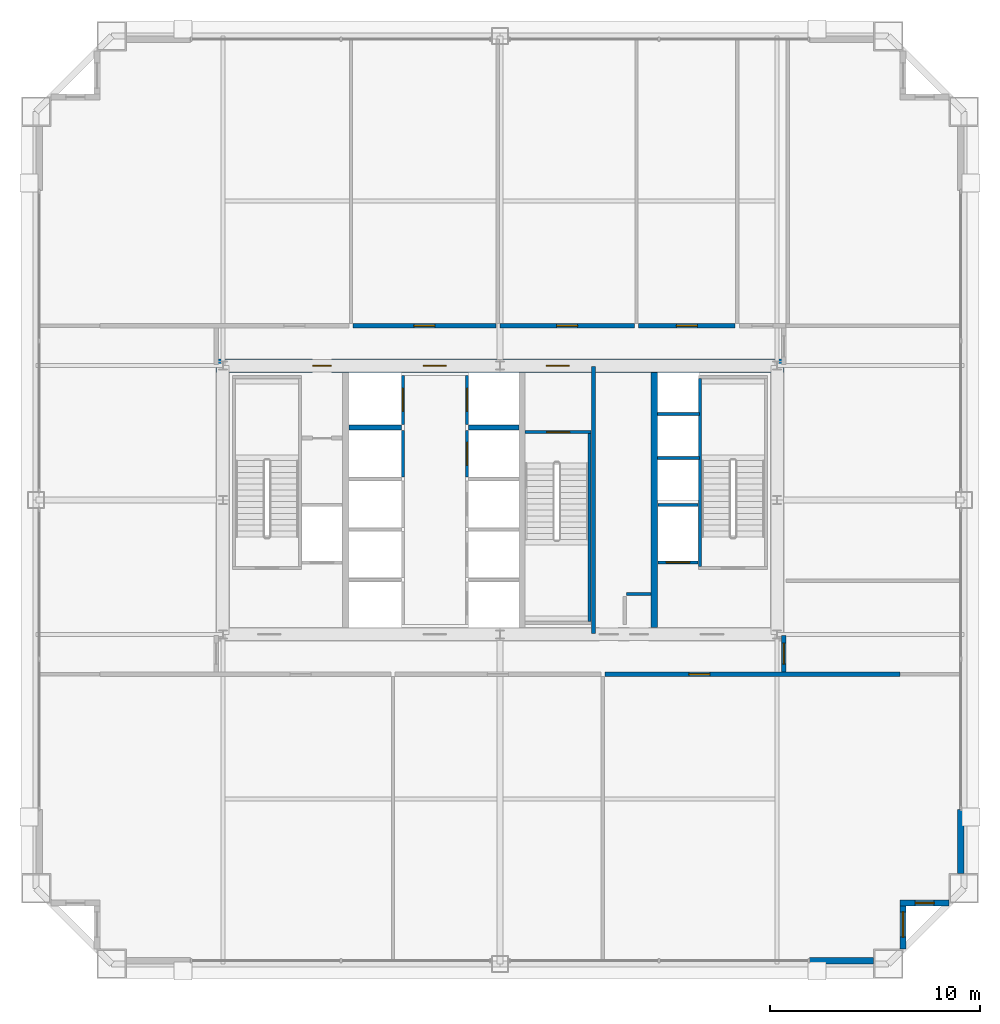
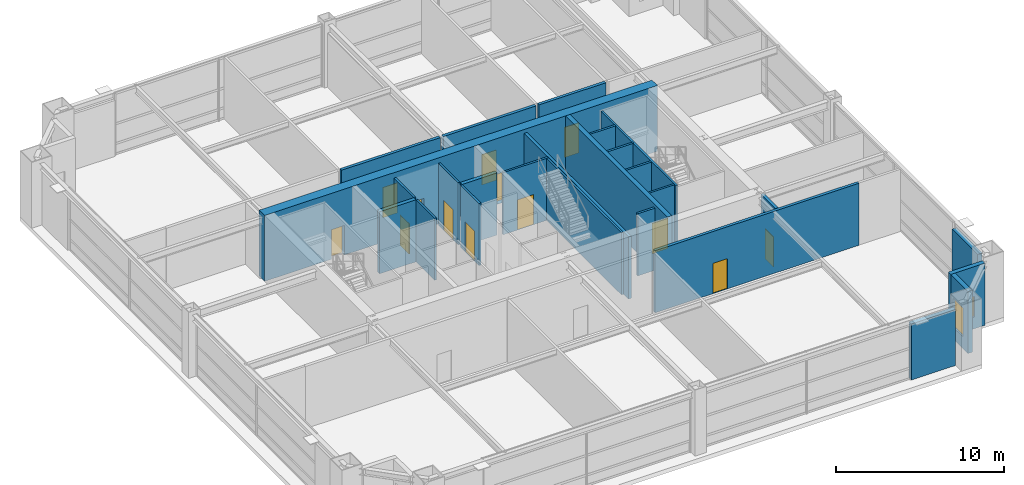
# One storey, part 32 of 34: 26 walls, 13 doors, 2 windows, 15 openings.
"""IFC4 building model written with IfcOpenShell, lengths in metres."""

import ifcopenshell
import ifcopenshell.guid

model = None  # the IFC model being written
_history = None  # IfcOwnerHistory: only IFC2X3 demands one
_inside = {}  # id of a spatial element -> (the spatial element, [elements in it])
_under = {}  # id of a project, library or spatial element -> (it, [spatial elements below it])
_declared = {}  # id of a project -> (the project, [libraries it declares])
_typed = {}  # id of a type object -> (the type object, [elements of that type])
_made_of = {}  # id of a material, layer set ... -> (it, [elements and type objects made of it])


def new_model(schema):
    """Start an empty IFC model of exactly this schema.

    Asked for "IFC4X3", IfcOpenShell would pick the latest addendum, in which some entities
    have other attributes; the version numbers below select the first issue.
    IFC2X3 requires an IfcOwnerHistory on every rooted entity: one is made here for all.
    """
    global model, _history
    if schema == "IFC4X3":
        model = ifcopenshell.file(schema_version=(4, 3, 0, 0))
    else:
        model = ifcopenshell.file(schema=schema)
    _inside.clear()
    _under.clear()
    _declared.clear()
    _typed.clear()
    _made_of.clear()
    _history = None
    if model.schema == "IFC2X3":
        org = make("IfcOrganization", Name="unknown")
        user = make(
            "IfcPersonAndOrganization",
            ThePerson=make("IfcPerson", FamilyName="unknown"),
            TheOrganization=org,
        )
        app = make(
            "IfcApplication",
            ApplicationDeveloper=org,
            Version="unknown",
            ApplicationFullName="unknown",
            ApplicationIdentifier="unknown",
        )
        _history = make(
            "IfcOwnerHistory",
            OwningUser=user,
            OwningApplication=app,
            ChangeAction="ADDED",
            CreationDate=0,
        )
    return model


def make(cls, **values):
    """One entity of the class cls with the attributes given. An attribute that is None is left unset."""
    return model.create_entity(
        cls, **{name: value for name, value in values.items() if value is not None}
    )


def rooted(cls, **values):
    """An entity with a GlobalId (a new one), such as an element, a storey or a relation."""
    return make(cls, GlobalId=ifcopenshell.guid.new(), OwnerHistory=_history, **values)


def si_unit(unit_type, name, prefix=None):
    """IfcSIUnit, for example si_unit("LENGTHUNIT", "METRE", prefix="MILLI")."""
    return make("IfcSIUnit", UnitType=unit_type, Prefix=prefix, Name=name)


def assignment(units):
    """IfcUnitAssignment: the units of a project."""
    return None if units is None else make("IfcUnitAssignment", Units=units)


def point(xyz):
    """IfcCartesianPoint."""
    return None if xyz is None else make("IfcCartesianPoint", Coordinates=xyz)


def direction(xyz):
    """IfcDirection."""
    return None if xyz is None else make("IfcDirection", DirectionRatios=xyz)


def frame(location, z_axis=None, x_axis=None):
    """IfcAxis2Placement3D, a coordinate frame: its origin and axes. An axis left out is left unset."""
    return make(
        "IfcAxis2Placement3D",
        Location=point(location),
        Axis=direction(z_axis),
        RefDirection=direction(x_axis),
    )


def frame_2d(location, x_axis=None):
    """IfcAxis2Placement2D, a coordinate frame in the plane: its origin and x axis."""
    return make(
        "IfcAxis2Placement2D", Location=point(location), RefDirection=direction(x_axis)
    )


def origin():
    """The frame at (0, 0, 0) with its axes left unset."""
    return frame((0.0, 0.0, 0.0))


def place(relative_to, where):
    """IfcLocalPlacement: puts the frame where relative to a parent placement (None: the world)."""
    return make(
        "IfcLocalPlacement", PlacementRelTo=relative_to, RelativePlacement=where
    )


def context(
    kind, dimensions, precision=None, world=None, true_north=None, identifier=None
):
    """IfcGeometricRepresentationContext, for example the 3D "Model" context."""
    return make(
        "IfcGeometricRepresentationContext",
        ContextIdentifier=identifier,
        ContextType=kind,
        CoordinateSpaceDimension=dimensions,
        Precision=precision,
        WorldCoordinateSystem=world,
        TrueNorth=true_north,
    )


def subcontext(parent, identifier, kind, view, scale=None):
    """IfcGeometricRepresentationSubContext, for example "Body" below "Model"."""
    return make(
        "IfcGeometricRepresentationSubContext",
        ContextIdentifier=identifier,
        ContextType=kind,
        ParentContext=parent,
        TargetScale=scale,
        TargetView=view,
    )


def project(units=None, contexts=None):
    """IfcProject with its units and contexts."""
    return rooted(
        "IfcProject",
        Name="project",
        RepresentationContexts=contexts,
        UnitsInContext=assignment(units),
    )


def spatial(cls, under=None, at=None, **own):
    """A site, building, storey or space (cls), placed at a placement, below another one or the project."""
    s = rooted(cls, ObjectPlacement=at, **own)
    if under is not None:
        _under.setdefault(under.id(), (under, []))[1].append(s)
    return s


def profile(cls, at=None, kind="AREA", **sizes):
    """A parametric profile (cls). Its sizes go by their IFC names, for example OverallWidth=200.0."""
    return make(cls, ProfileType=kind, Position=at, **sizes)


def rectangle(**sizes):
    """IfcRectangleProfileDef."""
    return profile("IfcRectangleProfileDef", **sizes)


def extrude(swept, where, along, depth):
    """IfcExtrudedAreaSolid: the profile swept, set in the frame where, extruded along a direction by depth."""
    return make(
        "IfcExtrudedAreaSolid",
        SweptArea=swept,
        Position=where,
        ExtrudedDirection=direction(along),
        Depth=depth,
    )


def shape(context_of_items, identifier, shape_type, items):
    """IfcShapeRepresentation: the items that make up one representation, for example the "Body"."""
    return make(
        "IfcShapeRepresentation",
        ContextOfItems=context_of_items,
        RepresentationIdentifier=identifier,
        RepresentationType=shape_type,
        Items=items,
    )


def source(mapping_origin, context_of_items, identifier, shape_type, items):
    """IfcRepresentationMap: a shape defined once, which mapped items show again and again."""
    return make(
        "IfcRepresentationMap",
        MappingOrigin=mapping_origin,
        MappedRepresentation=shape(context_of_items, identifier, shape_type, items),
    )


def transform(
    local_origin,
    x_axis=None,
    y_axis=None,
    z_axis=None,
    scale=None,
    scale2=None,
    scale3=None,
    uniform=True,
):
    """IfcCartesianTransformationOperator3D, or its non-uniform kind. x_axis, y_axis, z_axis: its Axis1, 2, 3."""
    if uniform:
        return make(
            "IfcCartesianTransformationOperator3D",
            Axis1=direction(x_axis),
            Axis2=direction(y_axis),
            LocalOrigin=point(local_origin),
            Scale=scale,
            Axis3=direction(z_axis),
        )
    return make(
        "IfcCartesianTransformationOperator3DnonUniform",
        Axis1=direction(x_axis),
        Axis2=direction(y_axis),
        LocalOrigin=point(local_origin),
        Scale=scale,
        Axis3=direction(z_axis),
        Scale2=scale2,
        Scale3=scale3,
    )


def mapped(mapping_source, mapping_target):
    """IfcMappedItem: shows the shape of a source again, moved by a transform."""
    return make(
        "IfcMappedItem", MappingSource=mapping_source, MappingTarget=mapping_target
    )


def material(Name=None, Category=None):
    """IfcMaterial."""
    return make("IfcMaterial", Name=Name, Category=Category)


def layer(
    of_material, thickness, ventilated=None, Name=None, Category=None, Priority=None
):
    """IfcMaterialLayer: one layer of a wall or slab, of a material (None: an air gap)."""
    return make(
        "IfcMaterialLayer",
        Material=of_material,
        LayerThickness=thickness,
        IsVentilated=ventilated,
        Name=Name,
        Category=Category,
        Priority=Priority,
    )


def layer_set(layers, Name=None):
    """IfcMaterialLayerSet."""
    return make("IfcMaterialLayerSet", MaterialLayers=layers, LayerSetName=Name)


def made_of(thing, what):
    """Note that an element or type object is made of a material, layer set ...; save() writes the relation."""
    if what is not None:
        _made_of.setdefault(what.id(), (what, []))[1].append(thing)
    return thing


def type_object(cls, material=None, **own):
    """A type object (cls), such as IfcWallType, which elements share."""
    return made_of(rooted(cls, **own), material)


def element(
    cls,
    number,
    at=None,
    inside=None,
    cuts=None,
    type_object=None,
    material=None,
    context=None,
    identifier="Body",
    shape_type=None,
    held_by="IfcProductDefinitionShape",
    body=None,
    shapes=None,
    **own,
):
    """One element of the class cls, such as IfcWall. Its Tag is "e" and its number.

    at: its placement. inside: the storey or other place that contains it. cuts: it is an
    opening in that element (IfcRelVoidsElement). A single representation is given by context,
    identifier, shape_type and body (its items); several are given by shapes. held_by: the class
    of the entity that holds the representations. save() writes the other relations.
    """
    e = rooted(cls, Tag="e%d" % number, ObjectPlacement=at, **own)
    if body is not None:
        shapes = [shape(context, identifier, shape_type, body)]
    if shapes is not None:
        e.Representation = make(held_by, Representations=shapes)
    if inside is not None:
        _inside.setdefault(inside.id(), (inside, []))[1].append(e)
    if cuts is not None:
        rooted(
            "IfcRelVoidsElement", RelatingBuildingElement=cuts, RelatedOpeningElement=e
        )
    if type_object is not None:
        _typed.setdefault(type_object.id(), (type_object, []))[1].append(e)
    return made_of(e, material)


def fill(opening, filler):
    """IfcRelFillsElement: the door or window that sits in an opening."""
    return rooted(
        "IfcRelFillsElement",
        RelatingOpeningElement=opening,
        RelatedBuildingElement=filler,
    )


def aggregate(whole, parts):
    """IfcRelAggregates: a whole, such as a stair, and the parts it consists of."""
    return rooted("IfcRelAggregates", RelatingObject=whole, RelatedObjects=parts)


def save(model, path):
    """Write the relations noted so far, then the file.

    IfcRelAggregates (storeys below a building ...), IfcRelContainedInSpatialStructure (elements
    in a storey), IfcRelDefinesByType, IfcRelAssociatesMaterial and IfcRelDeclares: one each for
    every whole, place, type object, material and project.
    """
    for whole, parts in _under.values():
        aggregate(whole, parts)
    for where, things in _inside.values():
        rooted(
            "IfcRelContainedInSpatialStructure",
            RelatedElements=things,
            RelatingStructure=where,
        )
    for kind, things in _typed.values():
        rooted("IfcRelDefinesByType", RelatedObjects=things, RelatingType=kind)
    for what, things in _made_of.values():
        rooted("IfcRelAssociatesMaterial", RelatedObjects=things, RelatingMaterial=what)
    for by, libraries in _declared.values():
        rooted("IfcRelDeclares", RelatingContext=by, RelatedDefinitions=libraries)
    model.write(path)


model = new_model("IFC4")

# Units and contexts
model_context = context("Model", 3, precision=1e-05, world=origin(), true_north=direction((0.0, 1.0)))
body_context = subcontext(model_context, "Body", "Model", "MODEL_VIEW")
ifc_project = project(units=[si_unit("LENGTHUNIT", "METRE"), si_unit("AREAUNIT", "SQUARE_METRE"), si_unit("VOLUMEUNIT", "CUBIC_METRE"), si_unit("PLANEANGLEUNIT", "RADIAN"), si_unit("MASSUNIT", "GRAM", prefix="KILO"), si_unit("THERMODYNAMICTEMPERATUREUNIT", "KELVIN"), si_unit("POWERUNIT", "WATT")], contexts=[model_context])

# Site, building, storey
site_placement = place(None, origin())
site = spatial("IfcSite", under=ifc_project, at=site_placement, CompositionType="ELEMENT")
building_placement = place(site_placement, origin())
building = spatial("IfcBuilding", under=site, at=building_placement, Name="Yuzanri Waterfront Tower", CompositionType="ELEMENT")
storey_placement = place(building_placement, frame((0.0, 0.0, 171.60009765625)))
storey = spatial("IfcBuildingStorey", under=building, at=storey_placement, Name="L45", CompositionType="ELEMENT", Elevation=171.60009765625)

# Wall, opening, window
ifc_material_1 = material(Name="Honed Chongqing Dark Basalt Stone", Category="masonry")
ifc_layer_1 = layer(ifc_material_1, 0.300048828125)
ifc_layer_set_1 = layer_set([ifc_layer_1], Name="Honed Chongqing Dark Basalt Stone")
wall_type_1 = type_object("IfcWallType", Name="Bronze Rainscreen Insulated Spandrel Portal Wall 300", PredefinedType="SOLIDWALL", material=ifc_layer_set_1)
wall_1_placement = place(storey_placement, frame((56.050048828125, 6.60009765625, 0.0), z_axis=(0.0, 0.0, 1.0), x_axis=(1.0, 0.0, 0.0)))
wall_1 = element("IfcWall", 1, at=wall_1_placement, inside=storey, type_object=wall_type_1, Name="L45 Notched Corner Masonry Wall SE-X", PredefinedType="SOLIDWALL", context=body_context, shape_type="SweptSolid", body=[
    extrude(rectangle(XDim=2.349853515625, YDim=0.300048828125, at=frame_2d((1.1748046875, 0.0))), origin(), (0.0, 0.0, 1.0), 4.52001953125),
])
opening_1_placement = place(wall_1_placement, frame((0.72509765625, 0.0, 0.85009765625)))
opening_1 = element("IfcOpeningElement", 2, at=opening_1_placement, cuts=wall_1, Name="Opening WN-05", PredefinedType="OPENING", context=body_context, shape_type="SweptSolid", body=[
    extrude(rectangle(XDim=0.89990234375, YDim=1.5, at=frame_2d((0.449951171875, 0.75))), frame((0.0, 0.1650390625, 0.0), z_axis=(0.0, -1.0, 0.0), x_axis=(1.0, 0.0, 0.0)), (0.0, 0.0, 1.0), 0.329833984375),
])
ifc_material_2 = material(Name="Double-Silver Low-E Insulated Glass", Category="glass")
window_type_1 = type_object("IfcWindowType", Name="Anodized Bronze Service and Stairwell Smoke-Vent Window 900x1500", PartitioningType="SINGLE_PANEL", PredefinedType="WINDOW", material=ifc_material_2)
shared_shape_1 = source(origin(), body_context, "Body", "SweptSolid", [
    extrude(rectangle(XDim=0.89990234375, YDim=1.5, at=frame_2d((0.449951171875, 0.75))), frame((0.0, 0.030029296875, 0.0), z_axis=(0.0, -1.0, 0.0), x_axis=(1.0, 0.0, 0.0)), (0.0, 0.0, 1.0), 0.06005859375),
])
window_1_placement = place(opening_1_placement, origin())
window_1 = element("IfcWindow", 3, at=window_1_placement, inside=storey, type_object=window_type_1, Name="L45 Notched Corner Window SE-X", OverallHeight=1.5, OverallWidth=0.89990234375, PartitioningType="SINGLE_PANEL", PredefinedType="WINDOW", context=body_context, shape_type="MappedRepresentation", body=[
    mapped(shared_shape_1, transform((0.0, 0.0, 0.0), scale=1.0)),
])
fill(opening_1, window_1)

wall_2_placement = place(storey_placement, frame((56.199951171875, 4.39990234375, 0.0), z_axis=(0.0, 0.0, 1.0), x_axis=(0.0, 1.0, 0.0)))
wall_2 = element("IfcWall", 4, at=wall_2_placement, inside=storey, type_object=wall_type_1, Name="L45 Notched Corner Masonry Wall SE-Y", PredefinedType="SOLIDWALL", context=body_context, shape_type="SweptSolid", body=[
    extrude(rectangle(XDim=2.35009765625, YDim=0.300048828125, at=frame_2d((1.175048828125, 0.0))), origin(), (0.0, 0.0, 1.0), 4.52001953125),
])
opening_2_placement = place(wall_2_placement, frame((0.574951171875, 0.0, 0.85009765625)))
opening_2 = element("IfcOpeningElement", 5, at=opening_2_placement, cuts=wall_2, Name="Opening WN-02", PredefinedType="OPENING", context=body_context, shape_type="SweptSolid", body=[
    extrude(rectangle(XDim=1.199951171875, YDim=2.10009765625, at=frame_2d((0.60009765625, 1.050048828125))), frame((0.0, 0.1650390625, 0.0), z_axis=(0.0, -1.0, 0.0), x_axis=(1.0, 0.0, 0.0)), (0.0, 0.0, 1.0), 0.329833984375),
])
ifc_material_3 = material(Name="Double-Silver Low-E Insulated Glass", Category="glass")
window_type_2 = type_object("IfcWindowType", Name="Anodized Bronze Notched Corner Deep-Set Slot Window 1200x2100", PartitioningType="SINGLE_PANEL", PredefinedType="WINDOW", material=ifc_material_3)
shared_shape_2 = source(origin(), body_context, "Body", "SweptSolid", [
    extrude(rectangle(XDim=1.199951171875, YDim=2.10009765625, at=frame_2d((0.60009765625, 1.050048828125))), frame((0.0, 0.030029296875, 0.0), z_axis=(0.0, -1.0, 0.0), x_axis=(1.0, 0.0, 0.0)), (0.0, 0.0, 1.0), 0.06005859375),
])
window_2_placement = place(opening_2_placement, origin())
window_2 = element("IfcWindow", 6, at=window_2_placement, inside=storey, type_object=window_type_2, Name="L45 Notched Corner Window SE-Y", OverallHeight=2.10009765625, OverallWidth=1.199951171875, PartitioningType="SINGLE_PANEL", PredefinedType="WINDOW", context=body_context, shape_type="MappedRepresentation", body=[
    mapped(shared_shape_2, transform((0.0, 0.0, 0.0), scale=1.0)),
])
fill(opening_2, window_2)

# Wall, openings, doors
ifc_material_4 = material(Name="Concrete C50", Category="concrete")
ifc_layer_2 = layer(ifc_material_4, 0.64990234375)
ifc_layer_set_2 = layer_set([ifc_layer_2], Name="Concrete C50")
wall_type_2 = type_object("IfcWallType", Name="Concrete C50 Mid Zone Core Shear Wall 650", PredefinedType="SHEAR", material=ifc_layer_set_2)
wall_3_placement = place(storey_placement, frame((23.47509765625, 32.199951171875, 0.0), z_axis=(0.0, 0.0, 1.0), x_axis=(1.0, 0.0, 0.0)))
wall_3 = element("IfcWall", 7, at=wall_3_placement, inside=storey, type_object=wall_type_2, Name="L45 Core North Shear Wall", PredefinedType="SHEAR", context=body_context, shape_type="SweptSolid", body=[
    extrude(rectangle(XDim=27.0498046875, YDim=0.64990234375, at=frame_2d((13.52490234375, 0.0))), origin(), (0.0, 0.0, 1.0), 4.7998046875),
])
opening_3_placement = place(wall_3_placement, frame((4.594970703125, 0.0, 0.0)))
opening_3 = element("IfcOpeningElement", 8, at=opening_3_placement, cuts=wall_3, Name="Opening FD-0900", PredefinedType="OPENING", context=body_context, shape_type="SweptSolid", body=[
    extrude(rectangle(XDim=0.89990234375, YDim=2.14990234375, at=frame_2d((0.449951171875, 1.074951171875))), frame((0.0, 0.33984375, 0.0), z_axis=(0.0, -1.0, 0.0), x_axis=(1.0, 0.0, 0.0)), (0.0, 0.0, 1.0), 0.6796875),
])
opening_4_placement = place(wall_3_placement, frame((9.875, 0.0, 0.0)))
opening_4 = element("IfcOpeningElement", 9, at=opening_4_placement, cuts=wall_3, Name="Opening FD-1100", PredefinedType="OPENING", context=body_context, shape_type="SweptSolid", body=[
    extrude(rectangle(XDim=1.10009765625, YDim=2.199951171875, at=frame_2d((0.550048828125, 1.10009765625))), frame((0.0, 0.33984375, 0.0), z_axis=(0.0, -1.0, 0.0), x_axis=(1.0, 0.0, 0.0)), (0.0, 0.0, 1.0), 0.6796875),
])
opening_5_placement = place(wall_3_placement, frame((15.72509765625, 0.0, 0.0)))
opening_5 = element("IfcOpeningElement", 10, at=opening_5_placement, cuts=wall_3, Name="Opening FD-1100", PredefinedType="OPENING", context=body_context, shape_type="SweptSolid", body=[
    extrude(rectangle(XDim=1.10009765625, YDim=2.199951171875, at=frame_2d((0.550048828125, 1.10009765625))), frame((0.0, 0.33984375, 0.0), z_axis=(0.0, -1.0, 0.0), x_axis=(1.0, 0.0, 0.0)), (0.0, 0.0, 1.0), 0.6796875),
])
ifc_material_5 = material(Name="Painted Galvanized Fire Steel", Category="steel")
door_type_1 = type_object("IfcDoorType", Name="Smoke-Proof Stair and Lobby Fire Door 1100x2200", OperationType="NOTDEFINED", PredefinedType="DOOR", material=ifc_material_5)
shared_shape_3 = source(origin(), body_context, "Body", "SweptSolid", [
    extrude(rectangle(XDim=1.10009765625, YDim=2.199951171875, at=frame_2d((0.550048828125, 1.10009765625))), frame((0.0, 0.02490234375, 0.0), z_axis=(0.0, -1.0, 0.0), x_axis=(1.0, 0.0, 0.0)), (0.0, 0.0, 1.0), 0.050048828125),
])
door_1_placement = place(opening_4_placement, origin())
door_1 = element("IfcDoor", 11, at=door_1_placement, inside=storey, type_object=door_type_1, Name="L45 Central Lift Lobby North Door", OperationType="SINGLE_SWING_RIGHT", OverallHeight=2.199951171875, OverallWidth=1.10009765625, PredefinedType="DOOR", context=body_context, shape_type="MappedRepresentation", body=[
    mapped(shared_shape_3, transform((0.0, 0.0, 0.0), scale=1.0)),
])
fill(opening_4, door_1)
door_2_placement = place(opening_5_placement, origin())
door_2 = element("IfcDoor", 12, at=door_2_placement, inside=storey, type_object=door_type_1, Name="L45 North Stair Lobby Door", OperationType="SINGLE_SWING_LEFT", OverallHeight=2.199951171875, OverallWidth=1.10009765625, PredefinedType="DOOR", context=body_context, shape_type="MappedRepresentation", body=[
    mapped(shared_shape_3, transform((0.0, 0.0, 0.0), scale=1.0)),
])
fill(opening_5, door_2)
ifc_material_6 = material(Name="Painted Galvanized Fire Steel", Category="steel")
door_type_2 = type_object("IfcDoorType", Name="Riser and Service Room Fire Door 900x2150", OperationType="NOTDEFINED", PredefinedType="DOOR", material=ifc_material_6)
shared_shape_4 = source(origin(), body_context, "Body", "SweptSolid", [
    extrude(rectangle(XDim=0.89990234375, YDim=2.14990234375, at=frame_2d((0.449951171875, 1.074951171875))), frame((0.0, 0.02490234375, 0.0), z_axis=(0.0, -1.0, 0.0), x_axis=(1.0, 0.0, 0.0)), (0.0, 0.0, 1.0), 0.050048828125),
])
door_3_placement = place(opening_3_placement, origin())
door_3 = element("IfcDoor", 13, at=door_3_placement, inside=storey, type_object=door_type_2, Name="L45 Telecom Riser Door", OperationType="SINGLE_SWING_LEFT", OverallHeight=2.14990234375, OverallWidth=0.89990234375, PredefinedType="DOOR", context=body_context, shape_type="MappedRepresentation", body=[
    mapped(shared_shape_4, transform((0.0, 0.0, 0.0), scale=1.0)),
])
fill(opening_3, door_3)

# Wall, opening, door
ifc_material_7 = material(Name="Concrete C40", Category="concrete")
ifc_layer_3 = layer(ifc_material_7, 0.139892578125)
ifc_layer_set_3 = layer_set([ifc_layer_3], Name="Concrete C40")
wall_type_3 = type_object("IfcWallType", Name="Core Stair Liner and Hoistway Shaft Wall 140", PredefinedType="SOLIDWALL", material=ifc_layer_set_3)
wall_4_placement = place(storey_placement, frame((44.52001953125, 22.830078125, 0.0), z_axis=(0.0, 0.0, 1.0), x_axis=(1.0, 0.0, 0.0)))
wall_4 = element("IfcWall", 14, at=wall_4_placement, inside=storey, type_object=wall_type_3, Name="L45 Lift FL-02 Front Shaft Wall", PredefinedType="SOLIDWALL", context=body_context, shape_type="SweptSolid", body=[
    extrude(rectangle(XDim=1.919921875, YDim=0.139892578125, at=frame_2d((0.9599609375, 0.0))), origin(), (0.0, 0.0, 1.0), 4.52001953125),
])
opening_6_placement = place(wall_4_placement, frame((0.409912109375, 0.0, 0.0)))
opening_6 = element("IfcOpeningElement", 15, at=opening_6_placement, cuts=wall_4, Name="Opening LD-FL-02", PredefinedType="OPENING", context=body_context, shape_type="SweptSolid", body=[
    extrude(rectangle(XDim=1.10009765625, YDim=2.199951171875, at=frame_2d((0.550048828125, 1.10009765625))), frame((0.0, 0.0849609375, 0.0), z_axis=(0.0, -1.0, 0.0), x_axis=(1.0, 0.0, 0.0)), (0.0, 0.0, 1.0), 0.169677734375),
])
ifc_material_8 = material(Name="Brushed Bronze and Stainless Steel Cab", Category="steel")
door_type_3 = type_object("IfcDoorType", Name="Center-Parting Bronze Lift Landing Sliding Door 1100x2200", OperationType="NOTDEFINED", PredefinedType="DOOR", material=ifc_material_8)
shared_shape_5 = source(origin(), body_context, "Body", "SweptSolid", [
    extrude(rectangle(XDim=1.10009765625, YDim=2.199951171875, at=frame_2d((0.550048828125, 1.10009765625))), frame((0.0, 0.02490234375, 0.0), z_axis=(0.0, -1.0, 0.0), x_axis=(1.0, 0.0, 0.0)), (0.0, 0.0, 1.0), 0.050048828125),
])
door_4_placement = place(opening_6_placement, origin())
door_4 = element("IfcDoor", 16, at=door_4_placement, inside=storey, type_object=door_type_3, Name="L45 FL-02 Lift Landing Sliding Door", OperationType="SLIDING_TO_RIGHT", OverallHeight=2.199951171875, OverallWidth=1.10009765625, PredefinedType="DOOR", context=body_context, shape_type="MappedRepresentation", body=[
    mapped(shared_shape_5, transform((0.0, 0.0, 0.0), scale=1.0)),
])
fill(opening_6, door_4)

wall_5_placement = place(storey_placement, frame((32.3701171875, 29.39990234375, 0.0), z_axis=(0.0, 0.0, 1.0), x_axis=(0.0, 1.0, 0.0)))
wall_5 = element("IfcWall", 17, at=wall_5_placement, inside=storey, type_object=wall_type_3, Name="L45 Lift SL-01 Front Shaft Wall", PredefinedType="SOLIDWALL", context=body_context, shape_type="SweptSolid", body=[
    extrude(rectangle(XDim=2.340087890625, YDim=0.139892578125, at=frame_2d((1.169921875, 0.0))), origin(), (0.0, 0.0, 1.0), 4.52001953125),
])
opening_7_placement = place(wall_5_placement, frame((0.6201171875, 0.0, 0.0)))
opening_7 = element("IfcOpeningElement", 18, at=opening_7_placement, cuts=wall_5, Name="Opening LD-SL-01", PredefinedType="OPENING", context=body_context, shape_type="SweptSolid", body=[
    extrude(rectangle(XDim=1.10009765625, YDim=2.199951171875, at=frame_2d((0.550048828125, 1.10009765625))), frame((0.0, 0.0849609375, 0.0), z_axis=(0.0, -1.0, 0.0), x_axis=(1.0, 0.0, 0.0)), (0.0, 0.0, 1.0), 0.169677734375),
])
door_5_placement = place(opening_7_placement, origin())
door_5 = element("IfcDoor", 19, at=door_5_placement, inside=storey, type_object=door_type_3, Name="L45 SL-01 Lift Landing Sliding Door", OperationType="SLIDING_TO_LEFT", OverallHeight=2.199951171875, OverallWidth=1.10009765625, PredefinedType="DOOR", context=body_context, shape_type="MappedRepresentation", body=[
    mapped(shared_shape_5, transform((0.0, 0.0, 0.0), scale=1.0)),
])
fill(opening_7, door_5)

wall_6_placement = place(storey_placement, frame((35.429931640625, 26.89990234375, 0.0), z_axis=(0.0, 0.0, 1.0), x_axis=(0.0, 1.0, 0.0)))
wall_6 = element("IfcWall", 20, at=wall_6_placement, inside=storey, type_object=wall_type_3, Name="L45 Lift PL-08 Front Shaft Wall", PredefinedType="SOLIDWALL", context=body_context, shape_type="SweptSolid", body=[
    extrude(rectangle(XDim=2.2001953125, YDim=0.139892578125, at=frame_2d((1.10009765625, 0.0))), origin(), (0.0, 0.0, 1.0), 4.52001953125),
])
opening_8_placement = place(wall_6_placement, frame((0.550048828125, 0.0, 0.0)))
opening_8 = element("IfcOpeningElement", 21, at=opening_8_placement, cuts=wall_6, Name="Opening LD-PL-08", PredefinedType="OPENING", context=body_context, shape_type="SweptSolid", body=[
    extrude(rectangle(XDim=1.10009765625, YDim=2.199951171875, at=frame_2d((0.550048828125, 1.10009765625))), frame((0.0, 0.0849609375, 0.0), z_axis=(0.0, -1.0, 0.0), x_axis=(1.0, 0.0, 0.0)), (0.0, 0.0, 1.0), 0.169677734375),
])
door_6_placement = place(opening_8_placement, origin())
door_6 = element("IfcDoor", 22, at=door_6_placement, inside=storey, type_object=door_type_3, Name="L45 PL-08 Lift Landing Sliding Door", OperationType="SLIDING_TO_LEFT", OverallHeight=2.199951171875, OverallWidth=1.10009765625, PredefinedType="DOOR", context=body_context, shape_type="MappedRepresentation", body=[
    mapped(shared_shape_5, transform((0.0, 0.0, 0.0), scale=1.0)),
])
fill(opening_8, door_6)

wall_7_placement = place(storey_placement, frame((35.429931640625, 29.39990234375, 0.0), z_axis=(0.0, 0.0, 1.0), x_axis=(0.0, 1.0, 0.0)))
wall_7 = element("IfcWall", 23, at=wall_7_placement, inside=storey, type_object=wall_type_3, Name="L45 Lift SL-02 Front Shaft Wall", PredefinedType="SOLIDWALL", context=body_context, shape_type="SweptSolid", body=[
    extrude(rectangle(XDim=2.340087890625, YDim=0.139892578125, at=frame_2d((1.169921875, 0.0))), origin(), (0.0, 0.0, 1.0), 4.52001953125),
])
opening_9_placement = place(wall_7_placement, frame((0.6201171875, 0.0, 0.0)))
opening_9 = element("IfcOpeningElement", 24, at=opening_9_placement, cuts=wall_7, Name="Opening LD-SL-02", PredefinedType="OPENING", context=body_context, shape_type="SweptSolid", body=[
    extrude(rectangle(XDim=1.10009765625, YDim=2.199951171875, at=frame_2d((0.550048828125, 1.10009765625))), frame((0.0, 0.0849609375, 0.0), z_axis=(0.0, -1.0, 0.0), x_axis=(1.0, 0.0, 0.0)), (0.0, 0.0, 1.0), 0.169677734375),
])
door_7_placement = place(opening_9_placement, origin())
door_7 = element("IfcDoor", 25, at=door_7_placement, inside=storey, type_object=door_type_3, Name="L45 SL-02 Lift Landing Sliding Door", OperationType="SLIDING_TO_RIGHT", OverallHeight=2.199951171875, OverallWidth=1.10009765625, PredefinedType="DOOR", context=body_context, shape_type="MappedRepresentation", body=[
    mapped(shared_shape_5, transform((0.0, 0.0, 0.0), scale=1.0)),
])
fill(opening_9, door_7)

wall_8_placement = place(storey_placement, frame((38.199951171875, 29.030029296875, 0.0), z_axis=(0.0, 0.0, 1.0), x_axis=(1.0, 0.0, 0.0)))
wall_8 = element("IfcWall", 26, at=wall_8_placement, inside=storey, type_object=wall_type_3, Name="L45 Shaft Wall STW-L45-ST-03-N", PredefinedType="SOLIDWALL", context=body_context, shape_type="SweptSolid", body=[
    extrude(rectangle(XDim=3.14013671875, YDim=0.139892578125, at=frame_2d((1.570068359375, 0.0))), origin(), (0.0, 0.0, 1.0), 4.52001953125),
])
opening_10_placement = place(wall_8_placement, frame((1.02001953125, 0.0, 0.0)))
opening_10 = element("IfcOpeningElement", 27, at=opening_10_placement, cuts=wall_8, Name="Opening FD-1100", PredefinedType="OPENING", context=body_context, shape_type="SweptSolid", body=[
    extrude(rectangle(XDim=1.10009765625, YDim=2.199951171875, at=frame_2d((0.550048828125, 1.10009765625))), frame((0.0, 0.0849609375, 0.0), z_axis=(0.0, -1.0, 0.0), x_axis=(1.0, 0.0, 0.0)), (0.0, 0.0, 1.0), 0.169677734375),
])
door_8_placement = place(opening_10_placement, origin())
door_8 = element("IfcDoor", 28, at=door_8_placement, inside=storey, type_object=door_type_1, Name="L45 Stair ST-03 Fire Door", OperationType="SINGLE_SWING_LEFT", OverallHeight=2.199951171875, OverallWidth=1.10009765625, PredefinedType="DOOR", context=body_context, shape_type="MappedRepresentation", body=[
    mapped(shared_shape_3, transform((0.0, 0.0, 0.0), scale=1.0)),
])
fill(opening_10, door_8)

ifc_material_9 = material(Name="Autoclaved Aerated Concrete Blockwork", Category="masonry")
ifc_layer_4 = layer(ifc_material_9, 0.199951171875)
ifc_layer_set_4 = layer_set([ifc_layer_4], Name="Autoclaved Aerated Concrete Blockwork")
wall_type_4 = type_object("IfcWallType", Name="Corridor and Unit Party Fire Wall 200", PredefinedType="PARTITIONING", material=ifc_layer_set_4)
wall_9_placement = place(storey_placement, frame((42.0, 17.5, 0.0), z_axis=(0.0, 0.0, 1.0), x_axis=(1.0, 0.0, 0.0)))
wall_9 = element("IfcWall", 29, at=wall_9_placement, inside=storey, type_object=wall_type_4, Name="L45 Partition SLW-L45-016-N", PredefinedType="PARTITIONING", context=body_context, shape_type="SweptSolid", body=[
    extrude(rectangle(XDim=14.06005859375, YDim=0.199951171875, at=frame_2d((7.030029296875, 0.0))), origin(), (0.0, 0.0, 1.0), 4.52001953125),
])
opening_11_placement = place(wall_9_placement, frame((4.0, 0.0, 0.0)))
opening_11 = element("IfcOpeningElement", 30, at=opening_11_placement, cuts=wall_9, Name="Opening FD-1000", PredefinedType="OPENING", context=body_context, shape_type="SweptSolid", body=[
    extrude(rectangle(XDim=1.0, YDim=2.199951171875, at=frame_2d((0.5, 1.10009765625))), frame((0.0, 0.11474609375, 0.0), z_axis=(0.0, -1.0, 0.0), x_axis=(1.0, 0.0, 0.0)), (0.0, 0.0, 1.0), 0.229736328125),
])
ifc_material_10 = material(Name="Engineered Oak Fire-Rated Timber", Category="wood")
door_type_4 = type_object("IfcDoorType", Name="Guestroom and Apartment Entrance Fire Door 1000x2200", OperationType="NOTDEFINED", PredefinedType="DOOR", material=ifc_material_10)
shared_shape_6 = source(origin(), body_context, "Body", "SweptSolid", [
    extrude(rectangle(XDim=1.0, YDim=2.199951171875, at=frame_2d((0.5, 1.10009765625))), frame((0.0, 0.02490234375, 0.0), z_axis=(0.0, -1.0, 0.0), x_axis=(1.0, 0.0, 0.0)), (0.0, 0.0, 1.0), 0.050048828125),
])
door_9_placement = place(opening_11_placement, origin())
door_9 = element("IfcDoor", 31, at=door_9_placement, inside=storey, type_object=door_type_4, Name="L45 Specialty Teppanyaki Sky Restaurant", OperationType="SINGLE_SWING_LEFT", OverallHeight=2.199951171875, OverallWidth=1.0, PredefinedType="DOOR", context=body_context, shape_type="MappedRepresentation", body=[
    mapped(shared_shape_6, transform((0.0, 0.0, 0.0), scale=1.0)),
])
fill(opening_11, door_9)

wall_10_placement = place(storey_placement, frame((50.52001953125, 17.610107421875, 0.0), z_axis=(0.0, 0.0, 1.0), x_axis=(0.0, 1.0, 0.0)))
wall_10 = element("IfcWall", 32, at=wall_10_placement, inside=storey, type_object=wall_type_4, Name="L45 Partition SLW-L45-018-WC", PredefinedType="PARTITIONING", context=body_context, shape_type="SweptSolid", body=[
    extrude(rectangle(XDim=1.739990234375, YDim=0.199951171875, at=frame_2d((0.8701171875, 0.0))), origin(), (0.0, 0.0, 1.0), 4.52001953125),
])
opening_12_placement = place(wall_10_placement, frame((0.3701171875, 0.0, 0.0)))
opening_12 = element("IfcOpeningElement", 33, at=opening_12_placement, cuts=wall_10, Name="Opening FD-1000", PredefinedType="OPENING", context=body_context, shape_type="SweptSolid", body=[
    extrude(rectangle(XDim=1.0, YDim=2.199951171875, at=frame_2d((0.5, 1.10009765625))), frame((0.0, 0.11474609375, 0.0), z_axis=(0.0, -1.0, 0.0), x_axis=(1.0, 0.0, 0.0)), (0.0, 0.0, 1.0), 0.229736328125),
])
door_10_placement = place(opening_12_placement, origin())
door_10 = element("IfcDoor", 34, at=door_10_placement, inside=storey, type_object=door_type_4, Name="L45 Club Catering Kitchen", OperationType="SINGLE_SWING_LEFT", OverallHeight=2.199951171875, OverallWidth=1.0, PredefinedType="DOOR", context=body_context, shape_type="MappedRepresentation", body=[
    mapped(shared_shape_6, transform((0.0, 0.0, 0.0), scale=1.0)),
])
fill(opening_12, door_10)

wall_11_placement = place(storey_placement, frame((30.0, 34.10009765625, 0.0), z_axis=(0.0, 0.0, 1.0), x_axis=(1.0, 0.0, 0.0)))
wall_11 = element("IfcWall", 35, at=wall_11_placement, inside=storey, type_object=wall_type_4, Name="L45 Partition SLW-L45-021-S", PredefinedType="PARTITIONING", context=body_context, shape_type="SweptSolid", body=[
    extrude(rectangle(XDim=6.800048828125, YDim=0.199951171875, at=frame_2d((3.39990234375, 0.0))), origin(), (0.0, 0.0, 1.0), 4.52001953125),
])
opening_13_placement = place(wall_11_placement, frame((2.89990234375, 0.0, 0.0)))
opening_13 = element("IfcOpeningElement", 36, at=opening_13_placement, cuts=wall_11, Name="Opening FD-1000", PredefinedType="OPENING", context=body_context, shape_type="SweptSolid", body=[
    extrude(rectangle(XDim=1.0, YDim=2.199951171875, at=frame_2d((0.5, 1.10009765625))), frame((0.0, 0.11474609375, 0.0), z_axis=(0.0, -1.0, 0.0), x_axis=(1.0, 0.0, 0.0)), (0.0, 0.0, 1.0), 0.229736328125),
])
door_11_placement = place(opening_13_placement, origin())
door_11 = element("IfcDoor", 37, at=door_11_placement, inside=storey, type_object=door_type_4, Name="L45 Sky Business Meeting Room 2", OperationType="SINGLE_SWING_RIGHT", OverallHeight=2.199951171875, OverallWidth=1.0, PredefinedType="DOOR", context=body_context, shape_type="MappedRepresentation", body=[
    mapped(shared_shape_6, transform((0.0, 0.0, 0.0), scale=1.0)),
])
fill(opening_13, door_11)

wall_12_placement = place(storey_placement, frame((37.0, 34.10009765625, 0.0), z_axis=(0.0, 0.0, 1.0), x_axis=(1.0, 0.0, 0.0)))
wall_12 = element("IfcWall", 38, at=wall_12_placement, inside=storey, type_object=wall_type_4, Name="L45 Partition SLW-L45-022-S", PredefinedType="PARTITIONING", context=body_context, shape_type="SweptSolid", body=[
    extrude(rectangle(XDim=6.39990234375, YDim=0.199951171875, at=frame_2d((3.199951171875, 0.0))), origin(), (0.0, 0.0, 1.0), 4.52001953125),
])
opening_14_placement = place(wall_12_placement, frame((2.699951171875, 0.0, 0.0)))
opening_14 = element("IfcOpeningElement", 39, at=opening_14_placement, cuts=wall_12, Name="Opening FD-1000", PredefinedType="OPENING", context=body_context, shape_type="SweptSolid", body=[
    extrude(rectangle(XDim=1.0, YDim=2.199951171875, at=frame_2d((0.5, 1.10009765625))), frame((0.0, 0.11474609375, 0.0), z_axis=(0.0, -1.0, 0.0), x_axis=(1.0, 0.0, 0.0)), (0.0, 0.0, 1.0), 0.229736328125),
])
door_12_placement = place(opening_14_placement, origin())
door_12 = element("IfcDoor", 40, at=door_12_placement, inside=storey, type_object=door_type_4, Name="L45 Sky Business Meeting Room 3", OperationType="SINGLE_SWING_LEFT", OverallHeight=2.199951171875, OverallWidth=1.0, PredefinedType="DOOR", context=body_context, shape_type="MappedRepresentation", body=[
    mapped(shared_shape_6, transform((0.0, 0.0, 0.0), scale=1.0)),
])
fill(opening_14, door_12)

wall_13_placement = place(storey_placement, frame((43.60009765625, 34.10009765625, 0.0), z_axis=(0.0, 0.0, 1.0), x_axis=(1.0, 0.0, 0.0)))
wall_13 = element("IfcWall", 41, at=wall_13_placement, inside=storey, type_object=wall_type_4, Name="L45 Partition SLW-L45-023-S", PredefinedType="PARTITIONING", context=body_context, shape_type="SweptSolid", body=[
    extrude(rectangle(XDim=4.599853515625, YDim=0.199951171875, at=frame_2d((2.2998046875, 0.0))), origin(), (0.0, 0.0, 1.0), 4.52001953125),
])
opening_15_placement = place(wall_13_placement, frame((1.800048828125, 0.0, 0.0)))
opening_15 = element("IfcOpeningElement", 42, at=opening_15_placement, cuts=wall_13, Name="Opening FD-1000", PredefinedType="OPENING", context=body_context, shape_type="SweptSolid", body=[
    extrude(rectangle(XDim=1.0, YDim=2.199951171875, at=frame_2d((0.5, 1.10009765625))), frame((0.0, 0.11474609375, 0.0), z_axis=(0.0, -1.0, 0.0), x_axis=(1.0, 0.0, 0.0)), (0.0, 0.0, 1.0), 0.229736328125),
])
door_13_placement = place(opening_15_placement, origin())
door_13 = element("IfcDoor", 43, at=door_13_placement, inside=storey, type_object=door_type_4, Name="L45 Public Restroom", OperationType="SINGLE_SWING_RIGHT", OverallHeight=2.199951171875, OverallWidth=1.0, PredefinedType="DOOR", context=body_context, shape_type="MappedRepresentation", body=[
    mapped(shared_shape_6, transform((0.0, 0.0, 0.0), scale=1.0)),
])
fill(opening_15, door_13)

# Walls
ifc_material_11 = material(Name="Concrete C50", Category="concrete")
ifc_layer_5 = layer(ifc_material_11, 0.300048828125)
ifc_layer_set_5 = layer_set([ifc_layer_5], Name="Concrete C50")
wall_type_5 = type_object("IfcWallType", Name="Concrete C50 Internal Core Shaft Structural Wall 300", PredefinedType="SOLIDWALL", material=ifc_layer_set_5)
shared_shape_7 = source(origin(), body_context, "Body", "SweptSolid", [
    extrude(rectangle(XDim=12.14990234375, YDim=0.300048828125, at=frame_2d((6.074951171875, 0.0))), origin(), (0.0, 0.0, 1.0), 4.7998046875),
])
wall_14_placement = place(storey_placement, frame((44.35009765625, 19.72509765625, 0.0), z_axis=(0.0, 0.0, 1.0), x_axis=(0.0, 1.0, 0.0)))
element("IfcWall", 44, at=wall_14_placement, inside=storey, type_object=wall_type_5, Name="L45 Core Internal Structural Web Wall 3", PredefinedType="SOLIDWALL", context=body_context, shape_type="MappedRepresentation", body=[
    mapped(shared_shape_7, transform((0.0, 0.0, 0.0), scale=1.0)),
])
shared_shape_8 = source(origin(), body_context, "Body", "SweptSolid", [
    extrude(rectangle(XDim=3.050048828125, YDim=0.300048828125, at=frame_2d((1.52490234375, 0.0))), origin(), (0.0, 0.0, 1.0), 4.074951171875),
])
for number, where, z_axis, x_axis, name in (
    (45, (51.75, 3.85009765625, 0.0), (0.0, 0.0, 1.0), (1.0, 0.0, 0.0), "L45 S Right Braced Masonry Shoulder"),
    (46, (58.949951171875, 8.0, 0.0), (0.0, 0.0, 1.0), (0.0, 1.0, 0.0), "L45 E Left Braced Masonry Shoulder"),
):
    element("IfcWall", number, at=place(storey_placement, frame(where, z_axis=z_axis, x_axis=x_axis)), inside=storey, type_object=wall_type_1, Name=name, PredefinedType="SOLIDWALL", context=body_context, shape_type="MappedRepresentation", body=[
        mapped(shared_shape_8, transform((0.0, 0.0, 0.0), scale=1.0)),
    ])
shared_shape_9 = source(origin(), body_context, "Body", "SweptSolid", [
    extrude(rectangle(XDim=1.919921875, YDim=0.139892578125, at=frame_2d((0.9599609375, 0.0))), origin(), (0.0, 0.0, 1.0), 4.52001953125),
])
wall_15_placement = place(storey_placement, frame((44.52001953125, 25.570068359375, 0.0), z_axis=(0.0, 0.0, 1.0), x_axis=(1.0, 0.0, 0.0)))
element("IfcWall", 47, at=wall_15_placement, inside=storey, type_object=wall_type_3, Name="L45 Lift FL-02 Back Shaft Wall", PredefinedType="SOLIDWALL", context=body_context, shape_type="MappedRepresentation", body=[
    mapped(shared_shape_9, transform((0.0, 0.0, 0.0), scale=1.0)),
])
shared_shape_10 = source(origin(), body_context, "Body", "SweptSolid", [
    extrude(rectangle(XDim=2.2001953125, YDim=0.139892578125, at=frame_2d((1.10009765625, 0.0))), origin(), (0.0, 0.0, 1.0), 4.52001953125),
])
wall_16_placement = place(storey_placement, frame((32.3701171875, 26.89990234375, 0.0), z_axis=(0.0, 0.0, 1.0), x_axis=(0.0, 1.0, 0.0)))
element("IfcWall", 48, at=wall_16_placement, inside=storey, type_object=wall_type_3, Name="L45 Lift PL-04 Front Shaft Wall", PredefinedType="SOLIDWALL", context=body_context, shape_type="MappedRepresentation", body=[
    mapped(shared_shape_10, transform((0.0, 0.0, 0.0), scale=1.0)),
])
ifc_material_12 = material(Name="Concrete C40", Category="concrete")
ifc_layer_6 = layer(ifc_material_12, 0.25)
ifc_layer_set_6 = layer_set([ifc_layer_6], Name="Concrete C40")
wall_type_6 = type_object("IfcWallType", Name="Smoke-Proof Stair and Lift Shaft Wall 250", PredefinedType="SOLIDWALL", material=ifc_layer_set_6)
shared_shape_11 = source(origin(), body_context, "Body", "SweptSolid", [
    extrude(rectangle(XDim=2.5, YDim=0.25, at=frame_2d((1.25, 0.0))), origin(), (0.0, 0.0, 1.0), 4.52001953125),
])
wall_17_placement = place(storey_placement, frame((29.800048828125, 29.25, 0.0), z_axis=(0.0, 0.0, 1.0), x_axis=(1.0, 0.0, 0.0)))
element("IfcWall", 49, at=wall_17_placement, inside=storey, type_object=wall_type_6, Name="L45 Lift SL-01 South Shaft Wall", PredefinedType="SOLIDWALL", context=body_context, shape_type="MappedRepresentation", body=[
    mapped(shared_shape_11, transform((0.0, 0.0, 0.0), scale=1.0)),
])
shared_shape_12 = source(origin(), body_context, "Body", "SweptSolid", [
    extrude(rectangle(XDim=2.39990234375, YDim=0.25, at=frame_2d((1.199951171875, 0.0))), origin(), (0.0, 0.0, 1.0), 4.52001953125),
])
wall_18_placement = place(storey_placement, frame((35.5, 29.25, 0.0), z_axis=(0.0, 0.0, 1.0), x_axis=(1.0, 0.0, 0.0)))
element("IfcWall", 50, at=wall_18_placement, inside=storey, type_object=wall_type_6, Name="L45 Lift SL-02 South Shaft Wall", PredefinedType="SOLIDWALL", context=body_context, shape_type="MappedRepresentation", body=[
    mapped(shared_shape_12, transform((0.0, 0.0, 0.0), scale=1.0)),
])
shared_shape_13 = source(origin(), body_context, "Body", "SweptSolid", [
    extrude(rectangle(XDim=2.0, YDim=0.139892578125, at=frame_2d((1.0, 0.0))), origin(), (0.0, 0.0, 1.0), 4.52001953125),
])
for number, where, z_axis, x_axis, name in (
    (51, (44.5, 27.800048828125, 0.0), (0.0, 0.0, 1.0), (1.0, 0.0, 0.0), "L45 Lift PL-09 Divider Wall"),
    (52, (44.5, 29.89990234375, 0.0), (0.0, 0.0, 1.0), (1.0, 0.0, 0.0), "L45 Lift PL-10 Divider Wall"),
):
    element("IfcWall", number, at=place(storey_placement, frame(where, z_axis=z_axis, x_axis=x_axis)), inside=storey, type_object=wall_type_3, Name=name, PredefinedType="SOLIDWALL", context=body_context, shape_type="MappedRepresentation", body=[
        mapped(shared_shape_13, transform((0.0, 0.0, 0.0), scale=1.0)),
    ])
shared_shape_14 = source(origin(), body_context, "Body", "SweptSolid", [
    extrude(rectangle(XDim=8.940185546875, YDim=0.139892578125, at=frame_2d((4.47021484375, 0.0))), origin(), (0.0, 0.0, 1.0), 4.52001953125),
])
wall_19_placement = place(storey_placement, frame((46.530029296875, 22.639892578125, 0.0), z_axis=(0.0, 0.0, 1.0), x_axis=(0.0, 1.0, 0.0)))
element("IfcWall", 53, at=wall_19_placement, inside=storey, type_object=wall_type_3, Name="L45 Stair ST-02 West Shaft Wall", PredefinedType="SOLIDWALL", context=body_context, shape_type="MappedRepresentation", body=[
    mapped(shared_shape_14, transform((0.0, 0.0, 0.0), scale=1.0)),
])
shared_shape_15 = source(origin(), body_context, "Body", "SweptSolid", [
    extrude(rectangle(XDim=8.93994140625, YDim=0.139892578125, at=frame_2d((4.469970703125, 0.0))), origin(), (0.0, 0.0, 1.0), 4.52001953125),
])
wall_20_placement = place(storey_placement, frame((41.27001953125, 20.02001953125, 0.0), z_axis=(0.0, 0.0, 1.0), x_axis=(0.0, 1.0, 0.0)))
element("IfcWall", 54, at=wall_20_placement, inside=storey, type_object=wall_type_3, Name="L45 Stair ST-03 East Shaft Wall", PredefinedType="SOLIDWALL", context=body_context, shape_type="MappedRepresentation", body=[
    mapped(shared_shape_15, transform((0.0, 0.0, 0.0), scale=1.0)),
])
ifc_material_13 = material(Name="Gypsum Fireboard Acoustic Stud Wall", Category="gypsum")
ifc_layer_7 = layer(ifc_material_13, 0.159912109375)
ifc_layer_set_7 = layer_set([ifc_layer_7], Name="Gypsum Fireboard Acoustic Stud Wall")
wall_type_7 = type_object("IfcWallType", Name="Acoustic Suite Demising Partition 160", PredefinedType="PARTITIONING", material=ifc_layer_set_7)
shared_shape_16 = source(origin(), body_context, "Body", "SweptSolid", [
    extrude(rectangle(XDim=1.169921875, YDim=0.159912109375, at=frame_2d((0.5849609375, 0.0))), origin(), (0.0, 0.0, 1.0), 4.52001953125),
])
wall_21_placement = place(storey_placement, frame((43.030029296875, 21.320068359375, 0.0), z_axis=(0.0, 0.0, 1.0), x_axis=(1.0, 0.0, 0.0)))
element("IfcWall", 55, at=wall_21_placement, inside=storey, type_object=wall_type_7, Name="L45 East Wet Riser North Wall", PredefinedType="PARTITIONING", context=body_context, shape_type="MappedRepresentation", body=[
    mapped(shared_shape_16, transform((0.0, 0.0, 0.0), scale=1.0)),
])
shared_shape_17 = source(origin(), body_context, "Body", "SweptSolid", [
    extrude(rectangle(XDim=12.719970703125, YDim=0.199951171875, at=frame_2d((6.35986328125, 0.0))), origin(), (0.0, 0.0, 1.0), 4.52001953125),
])
wall_22_placement = place(storey_placement, frame((41.449951171875, 19.43994140625, 0.0), z_axis=(0.0, 0.0, 1.0), x_axis=(0.0, 1.0, 0.0)))
element("IfcWall", 56, at=wall_22_placement, inside=storey, type_object=wall_type_4, Name="L45 Core BOH West Wall 1", PredefinedType="PARTITIONING", context=body_context, shape_type="MappedRepresentation", body=[
    mapped(shared_shape_17, transform((0.0, 0.0, 0.0), scale=1.0)),
])

save(model, "model.ifc")
